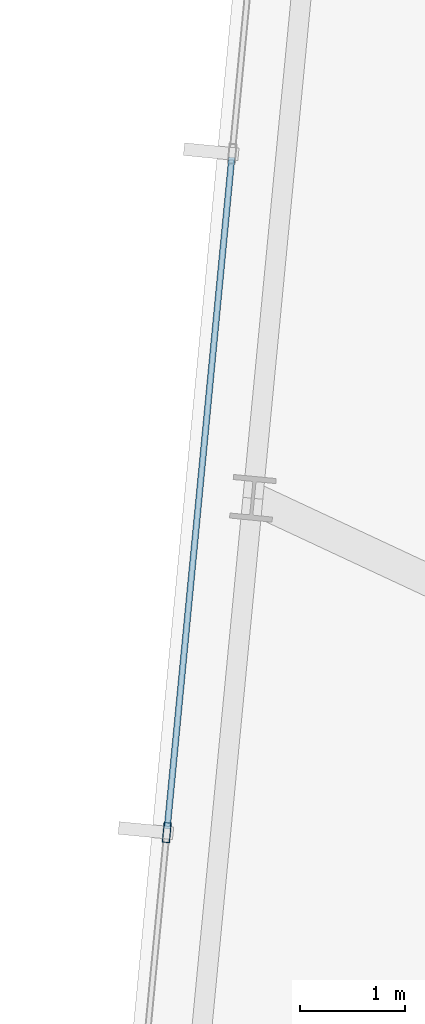
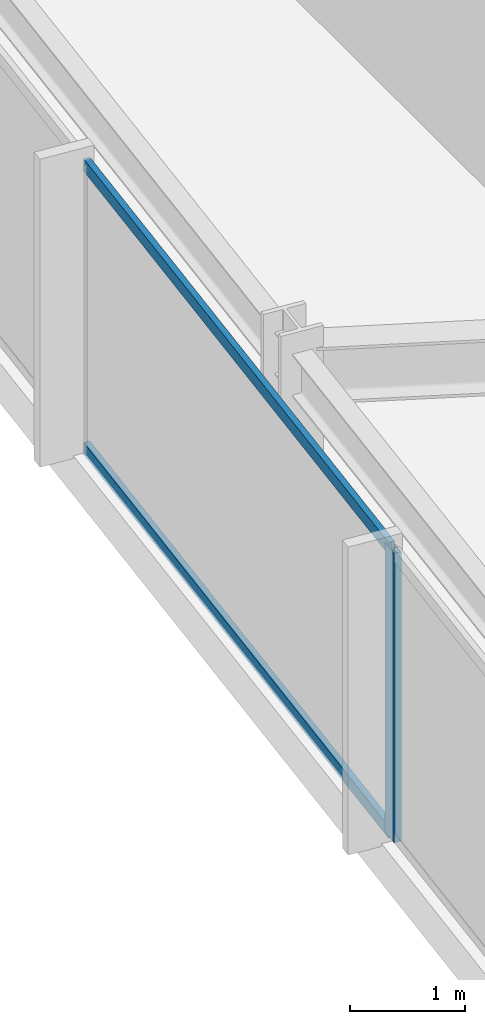
# One storey, part 8 of 37: 3 members, 1 element without a shape of its own.
"""IFC4 building model written with IfcOpenShell, lengths in metres."""

from ifc_helpers import new_model, si_unit, direction, frame, origin, origin_2d, place, context, subcontext, project, spatial, hollow_rectangle, extrude, material, material_profile, profile_set, type_object, element, aggregate, save


model = new_model("IFC4")

# Units and contexts
model_context = context("Model", 3, precision=1e-05, world=origin(), true_north=direction((0.0, 1.0)))
body_context = subcontext(model_context, "Body", "Model", "MODEL_VIEW")
ifc_project = project(units=[si_unit("LENGTHUNIT", "METRE"), si_unit("AREAUNIT", "SQUARE_METRE"), si_unit("VOLUMEUNIT", "CUBIC_METRE"), si_unit("PLANEANGLEUNIT", "RADIAN"), si_unit("MASSUNIT", "GRAM", prefix="KILO")], contexts=[model_context])

# Site, building, storey
site_placement = place(None, origin())
site = spatial("IfcSite", under=ifc_project, at=site_placement, CompositionType="ELEMENT")
building_placement = place(site_placement, origin())
building = spatial("IfcBuilding", under=site, at=building_placement, Name="Yelkora Congress Tower", CompositionType="ELEMENT")
storey_placement = place(building_placement, frame((0.0, 0.0, 149.0)))
storey = spatial("IfcBuildingStorey", under=building, at=storey_placement, Name="L40", CompositionType="ELEMENT", Elevation=149.0)

# Curtain wall, members
ifc_material_1 = material(Name="Anodised aluminium and insulated glass", Category="aluminium")
curtain_wall_type = type_object("IfcCurtainWallType", Name="CW-SYS-B3", PredefinedType="NOTDEFINED", material=ifc_material_1)
curtain_wall_placement = place(storey_placement, origin())
curtain_wall = element("IfcCurtainWall", 1, at=curtain_wall_placement, inside=storey, type_object=curtain_wall_type, Name="L40 Unitised Curtain Wall 5", PredefinedType="NOTDEFINED")
ifc_material_2 = material(Name="Anodised aluminium 6063-T6", Category="aluminium")
ifc_material_profile_1 = material_profile(ifc_material_2, hollow_rectangle(XDim=0.070068359375, YDim=0.18994140625, WallThickness=0.00390625, at=origin_2d()), Name="ALU 70x190x4")
ifc_profile_set_1 = profile_set([ifc_material_profile_1], Name="Anodised aluminium 6063-T6")
member_type_1 = type_object("IfcMemberType", Name="MEM-ML-B3", PredefinedType="MULLION", material=ifc_profile_set_1)
member_1_placement = place(storey_placement, frame((2.546142578125, 29.416259765625, 0.0), z_axis=(0.0, 0.0, 1.0), x_axis=(-0.995396242473, 0.095845294465, 0.0)))
member_1 = element("IfcMember", 2, at=member_1_placement, type_object=member_type_1, Name="CW-B3 mullion 3", PredefinedType="MULLION", context=body_context, shape_type="SweptSolid", body=[
    extrude(hollow_rectangle(XDim=0.070068359375, YDim=0.18994140625, WallThickness=0.00390625, at=origin_2d()), origin(), (0.0, 0.0, 1.0), 3.080078125),
])
ifc_material_profile_2 = material_profile(ifc_material_2, hollow_rectangle(XDim=0.06005859375, YDim=0.1298828125, WallThickness=0.00390625, at=origin_2d()), Name="ALU 60x130x4")
ifc_profile_set_2 = profile_set([ifc_material_profile_2], Name="Anodised aluminium 6063-T6")
member_type_2 = type_object("IfcMemberType", Name="MEM-TR-B3", PredefinedType="USERDEFINED", material=ifc_profile_set_2)
member_2_placement = place(storey_placement, frame((2.549560546875, 29.450927734375, 0.030029296875), z_axis=(0.095843682057, 0.995396397728, 0.0), x_axis=(-0.995396397728, 0.095843682057, 0.0)))
member_2 = element("IfcMember", 3, at=member_2_placement, type_object=member_type_2, Name="CW-B3 transom 3.1", ObjectType="TRANSOM", PredefinedType="USERDEFINED", context=body_context, shape_type="SweptSolid", body=[
    extrude(hollow_rectangle(XDim=0.06005859375, YDim=0.1298828125, WallThickness=0.00390625, at=origin_2d()), origin(), (0.0, 0.0, 1.0), 6.4140625),
])
member_3_placement = place(storey_placement, frame((2.549560546875, 29.450927734375, 3.050048828125), z_axis=(0.095843682057, 0.995396397728, 0.0), x_axis=(-0.995396397728, 0.095843682057, 0.0)))
member_3 = element("IfcMember", 4, at=member_3_placement, type_object=member_type_2, Name="CW-B3 transom 3.2", ObjectType="TRANSOM", PredefinedType="USERDEFINED", context=body_context, shape_type="SweptSolid", body=[
    extrude(hollow_rectangle(XDim=0.06005859375, YDim=0.1298828125, WallThickness=0.00390625, at=origin_2d()), origin(), (0.0, 0.0, 1.0), 6.4140625),
])
aggregate(curtain_wall, [member_1, member_2, member_3])

save(model, "model.ifc")
